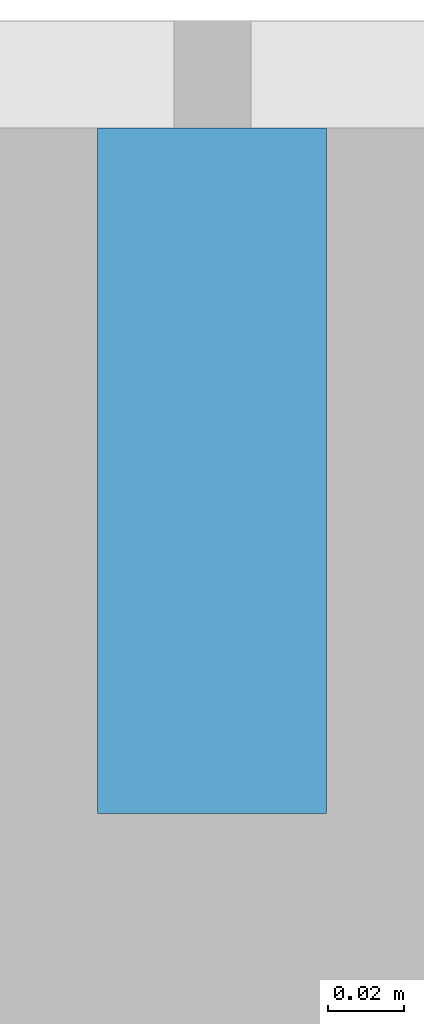
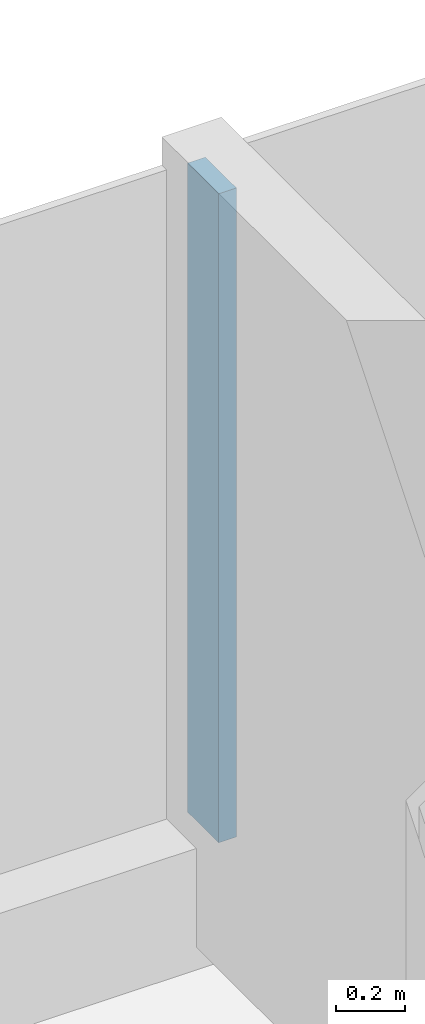
# One storey, part 8 of 26: 1 member, 1 element without a shape of its own.
"""IFC4 building model written with IfcOpenShell, lengths in metres."""

import ifcopenshell
import ifcopenshell.guid

model = None  # the IFC model being written
_history = None  # IfcOwnerHistory: only IFC2X3 demands one
_inside = {}  # id of a spatial element -> (the spatial element, [elements in it])
_under = {}  # id of a project, library or spatial element -> (it, [spatial elements below it])
_declared = {}  # id of a project -> (the project, [libraries it declares])
_typed = {}  # id of a type object -> (the type object, [elements of that type])
_made_of = {}  # id of a material, layer set ... -> (it, [elements and type objects made of it])


def new_model(schema):
    """Start an empty IFC model of exactly this schema.

    Asked for "IFC4X3", IfcOpenShell would pick the latest addendum, in which some entities
    have other attributes; the version numbers below select the first issue.
    IFC2X3 requires an IfcOwnerHistory on every rooted entity: one is made here for all.
    """
    global model, _history
    if schema == "IFC4X3":
        model = ifcopenshell.file(schema_version=(4, 3, 0, 0))
    else:
        model = ifcopenshell.file(schema=schema)
    _inside.clear()
    _under.clear()
    _declared.clear()
    _typed.clear()
    _made_of.clear()
    _history = None
    if model.schema == "IFC2X3":
        org = make("IfcOrganization", Name="unknown")
        user = make(
            "IfcPersonAndOrganization",
            ThePerson=make("IfcPerson", FamilyName="unknown"),
            TheOrganization=org,
        )
        app = make(
            "IfcApplication",
            ApplicationDeveloper=org,
            Version="unknown",
            ApplicationFullName="unknown",
            ApplicationIdentifier="unknown",
        )
        _history = make(
            "IfcOwnerHistory",
            OwningUser=user,
            OwningApplication=app,
            ChangeAction="ADDED",
            CreationDate=0,
        )
    return model


def make(cls, **values):
    """One entity of the class cls with the attributes given. An attribute that is None is left unset."""
    return model.create_entity(
        cls, **{name: value for name, value in values.items() if value is not None}
    )


def rooted(cls, **values):
    """An entity with a GlobalId (a new one), such as an element, a storey or a relation."""
    return make(cls, GlobalId=ifcopenshell.guid.new(), OwnerHistory=_history, **values)


def si_unit(unit_type, name, prefix=None):
    """IfcSIUnit, for example si_unit("LENGTHUNIT", "METRE", prefix="MILLI")."""
    return make("IfcSIUnit", UnitType=unit_type, Prefix=prefix, Name=name)


def assignment(units):
    """IfcUnitAssignment: the units of a project."""
    return None if units is None else make("IfcUnitAssignment", Units=units)


def point(xyz):
    """IfcCartesianPoint."""
    return None if xyz is None else make("IfcCartesianPoint", Coordinates=xyz)


def direction(xyz):
    """IfcDirection."""
    return None if xyz is None else make("IfcDirection", DirectionRatios=xyz)


def frame(location, z_axis=None, x_axis=None):
    """IfcAxis2Placement3D, a coordinate frame: its origin and axes. An axis left out is left unset."""
    return make(
        "IfcAxis2Placement3D",
        Location=point(location),
        Axis=direction(z_axis),
        RefDirection=direction(x_axis),
    )


def frame_2d(location, x_axis=None):
    """IfcAxis2Placement2D, a coordinate frame in the plane: its origin and x axis."""
    return make(
        "IfcAxis2Placement2D", Location=point(location), RefDirection=direction(x_axis)
    )


def origin():
    """The frame at (0, 0, 0) with its axes left unset."""
    return frame((0.0, 0.0, 0.0))


def origin_2d():
    """The frame at (0, 0) in the plane with its x axis left unset."""
    return frame_2d((0.0, 0.0))


def place(relative_to, where):
    """IfcLocalPlacement: puts the frame where relative to a parent placement (None: the world)."""
    return make(
        "IfcLocalPlacement", PlacementRelTo=relative_to, RelativePlacement=where
    )


def context(
    kind, dimensions, precision=None, world=None, true_north=None, identifier=None
):
    """IfcGeometricRepresentationContext, for example the 3D "Model" context."""
    return make(
        "IfcGeometricRepresentationContext",
        ContextIdentifier=identifier,
        ContextType=kind,
        CoordinateSpaceDimension=dimensions,
        Precision=precision,
        WorldCoordinateSystem=world,
        TrueNorth=true_north,
    )


def subcontext(parent, identifier, kind, view, scale=None):
    """IfcGeometricRepresentationSubContext, for example "Body" below "Model"."""
    return make(
        "IfcGeometricRepresentationSubContext",
        ContextIdentifier=identifier,
        ContextType=kind,
        ParentContext=parent,
        TargetScale=scale,
        TargetView=view,
    )


def project(units=None, contexts=None):
    """IfcProject with its units and contexts."""
    return rooted(
        "IfcProject",
        Name="project",
        RepresentationContexts=contexts,
        UnitsInContext=assignment(units),
    )


def spatial(cls, under=None, at=None, **own):
    """A site, building, storey or space (cls), placed at a placement, below another one or the project."""
    s = rooted(cls, ObjectPlacement=at, **own)
    if under is not None:
        _under.setdefault(under.id(), (under, []))[1].append(s)
    return s


def profile(cls, at=None, kind="AREA", **sizes):
    """A parametric profile (cls). Its sizes go by their IFC names, for example OverallWidth=200.0."""
    return make(cls, ProfileType=kind, Position=at, **sizes)


def rectangle(**sizes):
    """IfcRectangleProfileDef."""
    return profile("IfcRectangleProfileDef", **sizes)


def extrude(swept, where, along, depth):
    """IfcExtrudedAreaSolid: the profile swept, set in the frame where, extruded along a direction by depth."""
    return make(
        "IfcExtrudedAreaSolid",
        SweptArea=swept,
        Position=where,
        ExtrudedDirection=direction(along),
        Depth=depth,
    )


def shape(context_of_items, identifier, shape_type, items):
    """IfcShapeRepresentation: the items that make up one representation, for example the "Body"."""
    return make(
        "IfcShapeRepresentation",
        ContextOfItems=context_of_items,
        RepresentationIdentifier=identifier,
        RepresentationType=shape_type,
        Items=items,
    )


def material(Name=None, Category=None):
    """IfcMaterial."""
    return make("IfcMaterial", Name=Name, Category=Category)


def layer(
    of_material, thickness, ventilated=None, Name=None, Category=None, Priority=None
):
    """IfcMaterialLayer: one layer of a wall or slab, of a material (None: an air gap)."""
    return make(
        "IfcMaterialLayer",
        Material=of_material,
        LayerThickness=thickness,
        IsVentilated=ventilated,
        Name=Name,
        Category=Category,
        Priority=Priority,
    )


def layer_set(layers, Name=None):
    """IfcMaterialLayerSet."""
    return make("IfcMaterialLayerSet", MaterialLayers=layers, LayerSetName=Name)


def material_profile(
    of_material, cross_section, Name=None, Category=None, Priority=None
):
    """IfcMaterialProfile: a cross section and its material."""
    return make(
        "IfcMaterialProfile",
        Name=Name,
        Material=of_material,
        Profile=cross_section,
        Priority=Priority,
        Category=Category,
    )


def profile_set(profiles, Name=None, composite=None):
    """IfcMaterialProfileSet."""
    return make(
        "IfcMaterialProfileSet",
        Name=Name,
        MaterialProfiles=profiles,
        CompositeProfile=composite,
    )


def made_of(thing, what):
    """Note that an element or type object is made of a material, layer set ...; save() writes the relation."""
    if what is not None:
        _made_of.setdefault(what.id(), (what, []))[1].append(thing)
    return thing


def type_object(cls, material=None, **own):
    """A type object (cls), such as IfcWallType, which elements share."""
    return made_of(rooted(cls, **own), material)


def element(
    cls,
    number,
    at=None,
    inside=None,
    cuts=None,
    type_object=None,
    material=None,
    context=None,
    identifier="Body",
    shape_type=None,
    held_by="IfcProductDefinitionShape",
    body=None,
    shapes=None,
    **own,
):
    """One element of the class cls, such as IfcWall. Its Tag is "e" and its number.

    at: its placement. inside: the storey or other place that contains it. cuts: it is an
    opening in that element (IfcRelVoidsElement). A single representation is given by context,
    identifier, shape_type and body (its items); several are given by shapes. held_by: the class
    of the entity that holds the representations. save() writes the other relations.
    """
    e = rooted(cls, Tag="e%d" % number, ObjectPlacement=at, **own)
    if body is not None:
        shapes = [shape(context, identifier, shape_type, body)]
    if shapes is not None:
        e.Representation = make(held_by, Representations=shapes)
    if inside is not None:
        _inside.setdefault(inside.id(), (inside, []))[1].append(e)
    if cuts is not None:
        rooted(
            "IfcRelVoidsElement", RelatingBuildingElement=cuts, RelatedOpeningElement=e
        )
    if type_object is not None:
        _typed.setdefault(type_object.id(), (type_object, []))[1].append(e)
    return made_of(e, material)


def aggregate(whole, parts):
    """IfcRelAggregates: a whole, such as a stair, and the parts it consists of."""
    return rooted("IfcRelAggregates", RelatingObject=whole, RelatedObjects=parts)


def save(model, path):
    """Write the relations noted so far, then the file.

    IfcRelAggregates (storeys below a building ...), IfcRelContainedInSpatialStructure (elements
    in a storey), IfcRelDefinesByType, IfcRelAssociatesMaterial and IfcRelDeclares: one each for
    every whole, place, type object, material and project.
    """
    for whole, parts in _under.values():
        aggregate(whole, parts)
    for where, things in _inside.values():
        rooted(
            "IfcRelContainedInSpatialStructure",
            RelatedElements=things,
            RelatingStructure=where,
        )
    for kind, things in _typed.values():
        rooted("IfcRelDefinesByType", RelatedObjects=things, RelatingType=kind)
    for what, things in _made_of.values():
        rooted("IfcRelAssociatesMaterial", RelatedObjects=things, RelatingMaterial=what)
    for by, libraries in _declared.values():
        rooted("IfcRelDeclares", RelatingContext=by, RelatedDefinitions=libraries)
    model.write(path)


model = new_model("IFC4")

# Units and contexts
model_context = context("Model", 3, precision=1e-05, world=origin(), true_north=direction((0.0, 1.0)))
body_context = subcontext(model_context, "Body", "Model", "MODEL_VIEW")
ifc_project = project(units=[si_unit("LENGTHUNIT", "METRE"), si_unit("AREAUNIT", "SQUARE_METRE"), si_unit("VOLUMEUNIT", "CUBIC_METRE"), si_unit("PLANEANGLEUNIT", "RADIAN"), si_unit("MASSUNIT", "GRAM", prefix="KILO")], contexts=[model_context])

# Site, building, storey
site_placement = place(None, origin())
site = spatial("IfcSite", under=ifc_project, at=site_placement, CompositionType="ELEMENT")
building_placement = place(site_placement, origin())
building = spatial("IfcBuilding", under=site, at=building_placement, Name="Hakoniwa Tower and Hamabe Station Hall", CompositionType="ELEMENT")
storey_placement = place(building_placement, frame((0.0, 0.0, 131.0)))
storey = spatial("IfcBuildingStorey", under=building, at=storey_placement, Name="L36", CompositionType="ELEMENT", Elevation=131.0)

# Curtain wall, member
ifc_material_1 = material(Name="Dark low-e laminated glass", Category="glass")
ifc_layer = layer(ifc_material_1, 0.199951171875)
ifc_layer_set = layer_set([ifc_layer], Name="CW-1 UNITISED GUEST")
curtain_wall_type = type_object("IfcCurtainWallType", Name="CW-1 UNITISED GUEST", PredefinedType="NOTDEFINED", material=ifc_layer_set)
curtain_wall_placement = place(storey_placement, origin())
curtain_wall = element("IfcCurtainWall", 1, at=curtain_wall_placement, inside=storey, type_object=curtain_wall_type, Name="CW-1 curtain wall", PredefinedType="NOTDEFINED")
ifc_material_2 = material(Name="Aluminium 6063-T5 black anodised", Category="aluminium")
ifc_material_profile = material_profile(ifc_material_2, rectangle(XDim=0.06005859375, YDim=0.179931640625, at=origin_2d()), Name="CW-1 MULLION 60X180")
ifc_profile_set = profile_set([ifc_material_profile], Name="Aluminium 6063-T5 black anodised")
member_type = type_object("IfcMemberType", Name="CW-1 MULLION 60X180", PredefinedType="MULLION", material=ifc_profile_set)
member_placement = place(storey_placement, frame((8.39990234375, 18.181884765625, 0.35009765625), z_axis=(0.0, 0.0, 1.0), x_axis=(-1.0, 0.0, 0.0)))
member = element("IfcMember", 2, at=member_placement, type_object=member_type, Name="CW-1 mullion", PredefinedType="MULLION", context=body_context, shape_type="SweptSolid", body=[
    extrude(rectangle(XDim=0.06005859375, YDim=0.179931640625, at=origin_2d()), origin(), (0.0, 0.0, 1.0), 2.2998046875),
])
aggregate(curtain_wall, [member])

save(model, "model.ifc")
